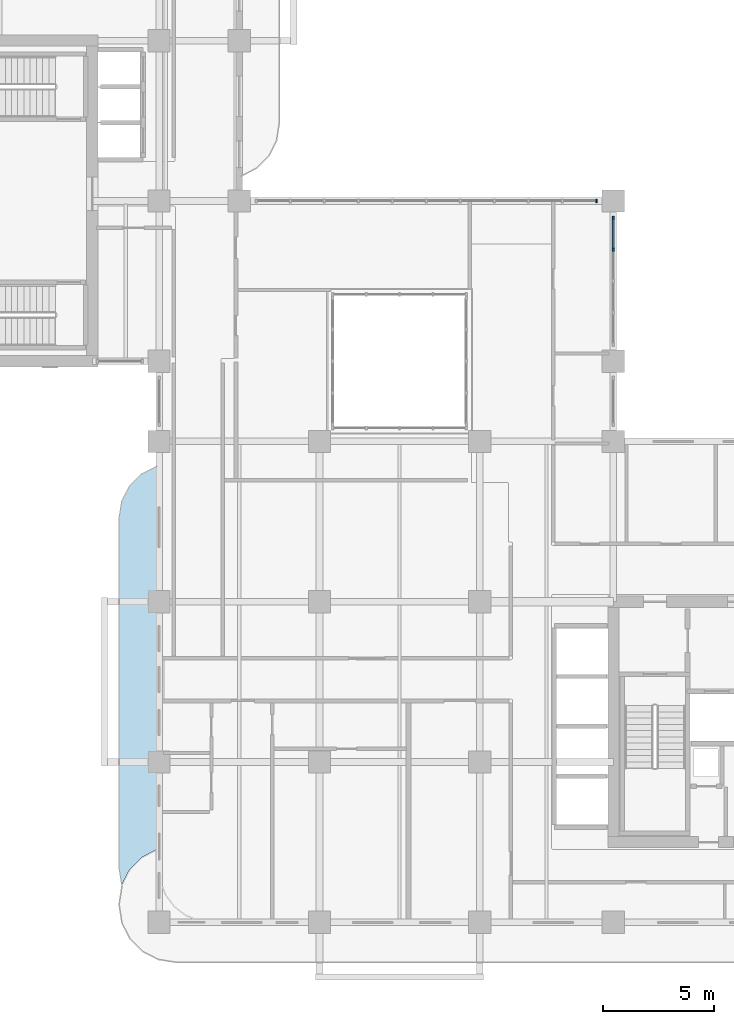
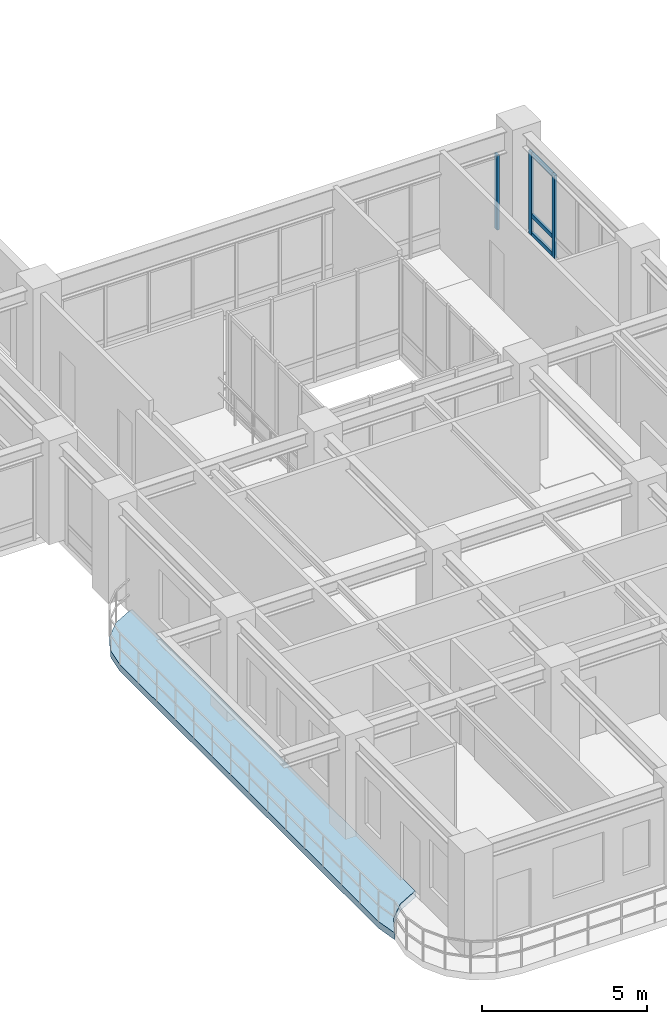
# One storey, part 7 of 19: 6 members, 1 slab, 2 elements without a shape of their own.
"""IFC4 building model written with IfcOpenShell, lengths in metres."""

from ifc_helpers import new_model, si_unit, derived_unit, direction, frame, origin, origin_2d, place, context, subcontext, project, spatial, polyline, rectangle, outline, extrude, source, transform, mapped, material, layer, layer_set, material_profile, profile_set, type_object, element, aggregate, save


model = new_model("IFC4")

# Units and contexts
model_context = context("Model", 3, precision=1e-05, world=origin(), true_north=direction((0.0, 1.0)))
body_context = subcontext(model_context, "Body", "Model", "MODEL_VIEW")
ifc_project = project(units=[si_unit("LENGTHUNIT", "METRE"), si_unit("AREAUNIT", "SQUARE_METRE"), si_unit("VOLUMEUNIT", "CUBIC_METRE"), si_unit("PLANEANGLEUNIT", "RADIAN"), si_unit("MASSUNIT", "GRAM", prefix="KILO"), si_unit("THERMODYNAMICTEMPERATUREUNIT", "KELVIN"), si_unit("POWERUNIT", "WATT"), derived_unit("THERMALTRANSMITTANCEUNIT", [(si_unit("POWERUNIT", "WATT"), 1), (si_unit("AREAUNIT", "SQUARE_METRE"), -1), (si_unit("THERMODYNAMICTEMPERATUREUNIT", "KELVIN"), -1)])], contexts=[model_context])

# Site, building, storey
site_placement = place(None, origin())
site = spatial("IfcSite", under=ifc_project, at=site_placement, CompositionType="ELEMENT")
building_placement = place(site_placement, origin())
building = spatial("IfcBuilding", under=site, at=building_placement, Name="Zahravan Archway Hotel and Residences", CompositionType="ELEMENT")
storey_placement = place(building_placement, frame((0.0, 0.0, 158.0)))
storey = spatial("IfcBuildingStorey", under=building, at=storey_placement, Name="L39", CompositionType="ELEMENT", Elevation=158.0)

# Curtain wall, members
ifc_material_1 = material(Name="Bronze-Anodized Unitised Aluminium & Low-E Glass", Category="aluminium")
ifc_layer_1 = layer(ifc_material_1, 0.179931640625, Name="Bronze-Anodized Unitised Aluminium & Low-E Glass", Category="aluminium")
ifc_layer_set_1 = layer_set([ifc_layer_1], Name="Bronze-Anodized Unitised Aluminium & Low-E Glass")
curtain_wall_type = type_object("IfcCurtainWallType", Name="CW-ATR-GLAZ", PredefinedType="NOTDEFINED", material=ifc_layer_set_1)
curtain_wall_1_placement = place(storey_placement, origin())
curtain_wall_1 = element("IfcCurtainWall", 1, at=curtain_wall_1_placement, inside=storey, type_object=curtain_wall_type, Name="L39 Curtain Wall CW-L39-HNG-E-2", PredefinedType="NOTDEFINED")
ifc_material_2 = material(Name="Bronze-Anodized Extruded Aluminium", Category="aluminium")
ifc_material_profile_1 = material_profile(ifc_material_2, rectangle(XDim=0.080078125, YDim=0.139892578125, at=origin_2d()), Name="TRN 80x140", Category="aluminium")
ifc_profile_set_1 = profile_set([ifc_material_profile_1], Name="Bronze-Anodized Extruded Aluminium")
member_type_1 = type_object("IfcMemberType", Name="CWM-TRN-140", PredefinedType="USERDEFINED", material=ifc_profile_set_1)
shared_shape_1 = source(origin(), body_context, "Body", "SweptSolid", [
    extrude(rectangle(XDim=0.080078125, YDim=0.139892578125, at=origin_2d()), origin(), (0.0, 0.0, 1.0), 1.340087890625),
])
member_1_placement = place(storey_placement, frame((34.800048828125, 30.260009765625, 0.070068359375), z_axis=(0.0, 1.0, 0.0), x_axis=(-1.0, 0.0, 0.0)))
member_1 = element("IfcMember", 2, at=member_1_placement, type_object=member_type_1, Name="CW-L39-HNG-E-2 Transom 3-1", ObjectType="TRANSOM", PredefinedType="USERDEFINED", context=body_context, shape_type="MappedRepresentation", body=[
    mapped(shared_shape_1, transform((0.0, 0.0, 0.0), scale=1.0)),
])
member_2_placement = place(storey_placement, frame((34.800048828125, 30.260009765625, 0.740478515625), z_axis=(0.0, 1.0, 0.0), x_axis=(-1.0, 0.0, 0.0)))
member_2 = element("IfcMember", 3, at=member_2_placement, type_object=member_type_1, Name="CW-L39-HNG-E-2 Transom 3-2", ObjectType="TRANSOM", PredefinedType="USERDEFINED", context=body_context, shape_type="MappedRepresentation", body=[
    mapped(shared_shape_1, transform((0.0, 0.0, 0.0), scale=1.0)),
])
member_3_placement = place(storey_placement, frame((34.800048828125, 30.260009765625, 3.014892578125), z_axis=(0.0, 1.0, 0.0), x_axis=(-1.0, 0.0, 0.0)))
member_3 = element("IfcMember", 4, at=member_3_placement, type_object=member_type_1, Name="CW-L39-HNG-E-2 Transom 3-3", ObjectType="TRANSOM", PredefinedType="USERDEFINED", context=body_context, shape_type="MappedRepresentation", body=[
    mapped(shared_shape_1, transform((0.0, 0.0, 0.0), scale=1.0)),
])
ifc_material_profile_2 = material_profile(ifc_material_2, rectangle(XDim=0.080078125, YDim=0.159912109375, at=origin_2d()), Name="MUL 80x160", Category="aluminium")
ifc_profile_set_2 = profile_set([ifc_material_profile_2], Name="Bronze-Anodized Extruded Aluminium")
member_type_2 = type_object("IfcMemberType", Name="CWM-MUL-160", PredefinedType="MULLION", material=ifc_profile_set_2)
shared_shape_2 = source(origin(), body_context, "Body", "SweptSolid", [
    extrude(rectangle(XDim=0.080078125, YDim=0.159912109375, at=origin_2d()), origin(), (0.0, 0.0, 1.0), 3.0849609375),
])
member_4_placement = place(storey_placement, frame((34.800048828125, 30.219970703125, 0.0), z_axis=(0.0, 0.0, 1.0), x_axis=(1.0, 0.0, 0.0)))
member_4 = element("IfcMember", 5, at=member_4_placement, type_object=member_type_2, Name="CW-L39-HNG-E-2 Mullion 3", PredefinedType="MULLION", context=body_context, shape_type="MappedRepresentation", body=[
    mapped(shared_shape_2, transform((0.0, 0.0, 0.0), scale=1.0)),
])
member_5_placement = place(storey_placement, frame((34.800048828125, 31.639892578125, 0.0), z_axis=(0.0, 0.0, 1.0), x_axis=(1.0, 0.0, 0.0)))
member_5 = element("IfcMember", 6, at=member_5_placement, type_object=member_type_2, Name="CW-L39-HNG-E-2 Mullion 4", PredefinedType="MULLION", context=body_context, shape_type="MappedRepresentation", body=[
    mapped(shared_shape_2, transform((0.0, 0.0, 0.0), scale=1.0)),
])
aggregate(curtain_wall_1, [member_4, member_5, member_1, member_2, member_3])

# Curtain wall, member
curtain_wall_2_placement = place(storey_placement, origin())
curtain_wall_2 = element("IfcCurtainWall", 7, at=curtain_wall_2_placement, inside=storey, type_object=curtain_wall_type, Name="L39 Curtain Wall CW-L39-HNG-N-1", PredefinedType="NOTDEFINED")
shared_shape_3 = source(origin(), body_context, "Body", "SweptSolid", [
    extrude(rectangle(XDim=0.080078125, YDim=0.159912109375, at=origin_2d()), origin(), (0.0, 0.0, 1.0), 2.784912109375),
])
member_6_placement = place(storey_placement, frame((34.0400390625, 32.39990234375, 0.0), z_axis=(0.0, 0.0, 1.0), x_axis=(1.0, 0.0, 0.0)))
member_6 = element("IfcMember", 8, at=member_6_placement, type_object=member_type_2, Name="CW-L39-HNG-N-1 Mullion 10", PredefinedType="MULLION", context=body_context, shape_type="MappedRepresentation", body=[
    mapped(shared_shape_3, transform((0.0, 0.0, 0.0), scale=1.0)),
])
aggregate(curtain_wall_2, [member_6])

# Slab
ifc_material_3 = material(Name="Concrete C45/55", Category="concrete")
ifc_layer_2 = layer(ifc_material_3, 0.25, Name="Concrete C45/55", Category="concrete")
ifc_layer_set_2 = layer_set([ifc_layer_2], Name="Concrete C45/55")
slab_type = type_object("IfcSlabType", Name="SLB-BALC-250", PredefinedType="FLOOR", material=ifc_layer_set_2)
slab_placement = place(storey_placement, frame((0.0, 0.0, -0.25)))
element("IfcSlab", 9, at=slab_placement, inside=storey, type_object=slab_type, Name="L39 Wing A West Rounded Balcony Band", PredefinedType="FLOOR", context=body_context, shape_type="SweptSolid", body=[
    extrude(outline(polyline([(12.719970703125, 1.69287109375), (12.60009765625, 2.449951171875), (12.60009765625, 18.14990234375), (12.719970703125, 18.906982421875), (13.06787109375, 19.590087890625), (13.60986328125, 20.132080078125), (14.29296875, 20.47998046875), (14.3798828125, 20.493896484375), (14.3798828125, 3.298095703125), (14.37890625, 3.298095703125), (14.376953125, 3.2978515625), (14.35888671875, 3.294921875), (14.356689453125, 3.29443359375), (14.354736328125, 3.2939453125), (14.352783203125, 3.29296875), (13.64208984375, 2.930908203125), (13.64013671875, 2.9296875), (13.638427734375, 2.928466796875), (13.636962890625, 2.927001953125), (13.072998046875, 2.363037109375), (13.071533203125, 2.361572265625), (13.0703125, 2.35986328125), (13.069091796875, 2.35791015625), (12.72509765625, 1.6826171875), (12.719970703125, 1.69287109375)])), origin(), (0.0, 0.0, 1.0), 0.25),
])

save(model, "model.ifc")
